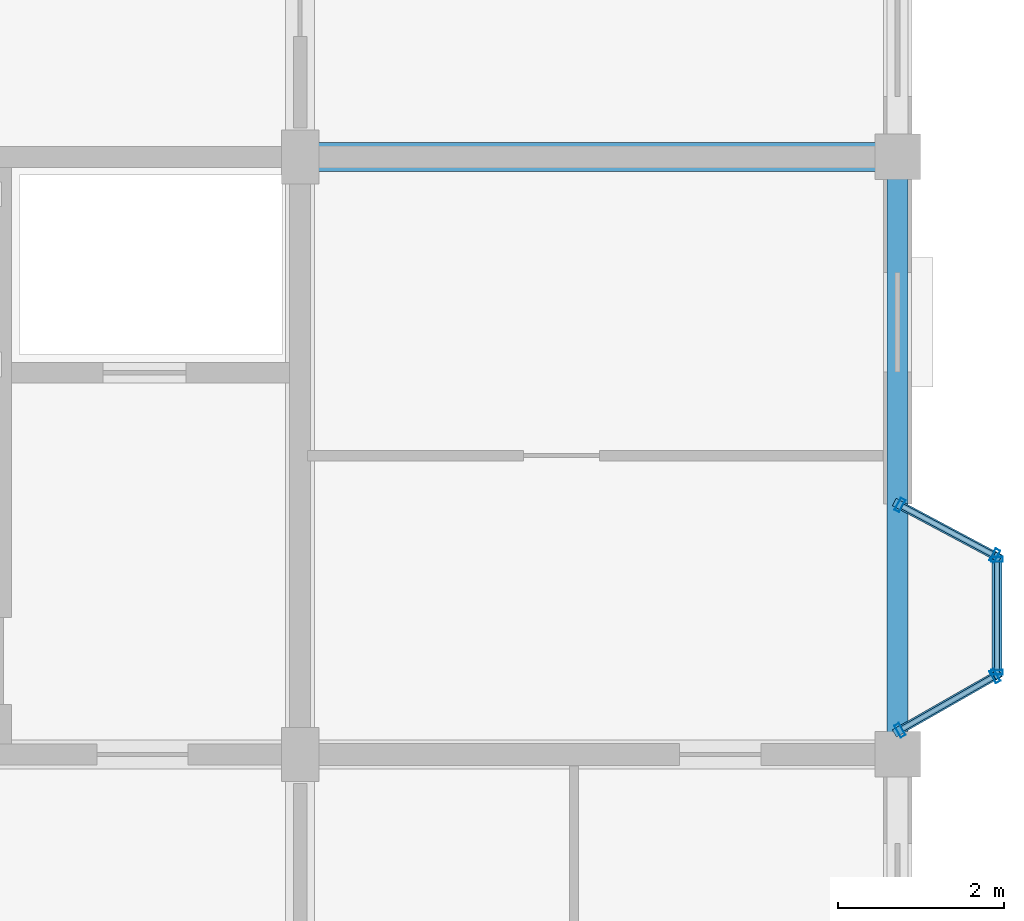
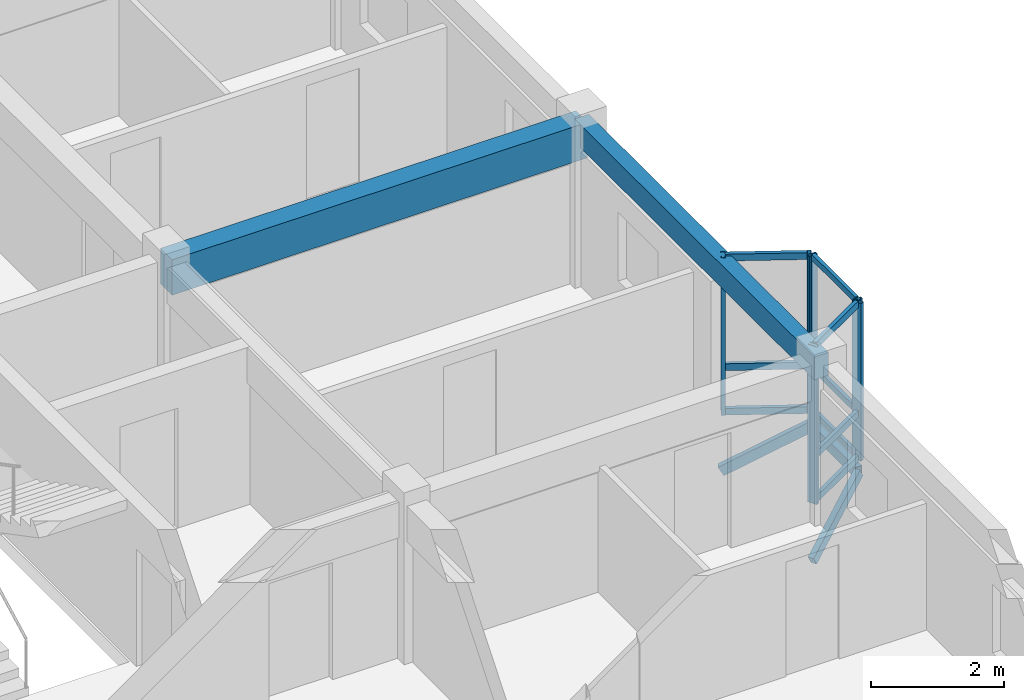
# One storey, part 30 of 77: 18 members, 2 beams, 3 elements without a shape of their own.
"""IFC4 building model written with IfcOpenShell, lengths in metres."""

from ifc_helpers import new_model, si_unit, direction, frame, origin, origin_2d, place, context, subcontext, project, spatial, rectangle, hollow_rectangle, extrude, material, layer, layer_set, material_profile, profile_set, type_object, element, aggregate, save


model = new_model("IFC4")

# Units and contexts
model_context = context("Model", 3, precision=1e-05, world=origin(), true_north=direction((0.0, 1.0)))
body_context = subcontext(model_context, "Body", "Model", "MODEL_VIEW")
ifc_project = project(units=[si_unit("LENGTHUNIT", "METRE"), si_unit("AREAUNIT", "SQUARE_METRE"), si_unit("VOLUMEUNIT", "CUBIC_METRE"), si_unit("PLANEANGLEUNIT", "RADIAN"), si_unit("MASSUNIT", "GRAM", prefix="KILO"), si_unit("THERMODYNAMICTEMPERATUREUNIT", "KELVIN"), si_unit("POWERUNIT", "WATT")], contexts=[model_context])

# Site, building, storey
site_placement = place(None, origin())
site = spatial("IfcSite", under=ifc_project, at=site_placement, CompositionType="ELEMENT")
building_placement = place(site_placement, origin())
building = spatial("IfcBuilding", under=site, at=building_placement, Name="Tavuni Mirador Residences", CompositionType="ELEMENT")
storey_placement = place(building_placement, frame((0.0, 0.0, 10.800048828125)))
storey = spatial("IfcBuildingStorey", under=building, at=storey_placement, Name="L03", CompositionType="ELEMENT", Elevation=10.800048828125)

# Beams
ifc_material_1 = material(Name="Precast concrete C40/50", Category="concrete")
ifc_material_profile_1 = material_profile(ifc_material_1, rectangle(XDim=0.35009765625, YDim=0.64990234375, at=origin_2d()), Name="PC 350x650", Category="concrete")
ifc_profile_set_1 = profile_set([ifc_material_profile_1], Name="Precast concrete C40/50")
beam_type_1 = type_object("IfcBeamType", Name="BT-B650", PredefinedType="BEAM", material=ifc_profile_set_1)
beam_1_placement = place(storey_placement, frame((111.60009765625, 115.199951171875, 2.56494140625), z_axis=(1.0, 0.0, 0.0), x_axis=(0.0, 1.0, 0.0)))
element("IfcBeam", 1, at=beam_1_placement, inside=storey, type_object=beam_type_1, Name="BMX-BLK-D-L03-03-04", PredefinedType="BEAM", context=body_context, shape_type="SweptSolid", body=[
    extrude(rectangle(XDim=0.35009765625, YDim=0.64990234375, at=origin_2d()), origin(), (0.0, 0.0, 1.0), 7.199951171875),
])
ifc_material_profile_2 = material_profile(ifc_material_1, rectangle(XDim=0.25, YDim=0.419921875, at=origin_2d()), Name="PC 250x420", Category="concrete")
ifc_profile_set_2 = profile_set([ifc_material_profile_2], Name="Precast concrete C40/50")
beam_type_2 = type_object("IfcBeamType", Name="BT-SP420", PredefinedType="SPANDREL", material=ifc_profile_set_2)
beam_2_placement = place(storey_placement, frame((118.800048828125, 108.0, 2.679931640625), z_axis=(0.0, 1.0, 0.0), x_axis=(-1.0, 0.0, 0.0)))
element("IfcBeam", 2, at=beam_2_placement, inside=storey, type_object=beam_type_2, Name="BMY-BLK-D-L03-04-03", PredefinedType="SPANDREL", context=body_context, shape_type="SweptSolid", body=[
    extrude(rectangle(XDim=0.25, YDim=0.419921875, at=origin_2d()), origin(), (0.0, 0.0, 1.0), 7.199951171875),
])

# Curtain wall, members
ifc_material_2 = material(Name="Anodised aluminium", Category="aluminium")
ifc_layer_1 = layer(ifc_material_2, 0.175048828125, Name="Anodised aluminium", Category="aluminium")
ifc_layer_set_1 = layer_set([ifc_layer_1], Name="Anodised aluminium")
curtain_wall_type_1 = type_object("IfcCurtainWallType", Name="CWT-MIR-C", PredefinedType="NOTDEFINED", material=ifc_layer_set_1)
curtain_wall_1_placement = place(storey_placement, origin())
curtain_wall_1 = element("IfcCurtainWall", 3, at=curtain_wall_1_placement, inside=storey, type_object=curtain_wall_type_1, Name="CW-MIR-D-E2-L03-MF", PredefinedType="NOTDEFINED")
ifc_material_profile_3 = material_profile(ifc_material_2, hollow_rectangle(XDim=0.06005859375, YDim=0.139892578125, WallThickness=0.00390625, at=origin_2d()), Name="ALU 60x140x4.0", Category="aluminium")
ifc_profile_set_3 = profile_set([ifc_material_profile_3], Name="Anodised aluminium")
member_type_1 = type_object("IfcMemberType", Name="CWM-140", PredefinedType="MULLION", material=ifc_profile_set_3)
member_1_placement = place(storey_placement, frame((120.0, 108.989990234375, 0.0), z_axis=(0.0, 0.0, 1.0), x_axis=(0.0, 1.0, 0.0)))
member_1 = element("IfcMember", 4, at=member_1_placement, type_object=member_type_1, Name="CW-03 mullion 1", PredefinedType="MULLION", context=body_context, shape_type="SweptSolid", body=[
    extrude(hollow_rectangle(XDim=0.06005859375, YDim=0.139892578125, WallThickness=0.00390625, at=origin_2d()), origin(), (0.0, 0.0, 1.0), 2.889892578125),
])
member_2_placement = place(storey_placement, frame((120.0, 110.35009765625, 0.0), z_axis=(0.0, 0.0, 1.0), x_axis=(0.0, 1.0, 0.0)))
member_2 = element("IfcMember", 5, at=member_2_placement, type_object=member_type_1, Name="CW-03 mullion 2", PredefinedType="MULLION", context=body_context, shape_type="SweptSolid", body=[
    extrude(hollow_rectangle(XDim=0.06005859375, YDim=0.139892578125, WallThickness=0.00390625, at=origin_2d()), origin(), (0.0, 0.0, 1.0), 2.889892578125),
])

ifc_layer_2 = layer(ifc_material_2, 0.14990234375, Name="Anodised aluminium", Category="aluminium")
ifc_layer_set_2 = layer_set([ifc_layer_2], Name="Anodised aluminium")
curtain_wall_type_2 = type_object("IfcCurtainWallType", Name="CWT-MIR-B", PredefinedType="NOTDEFINED", material=ifc_layer_set_2)
curtain_wall_2_placement = place(storey_placement, origin())
curtain_wall_2 = element("IfcCurtainWall", 6, at=curtain_wall_2_placement, inside=storey, type_object=curtain_wall_type_2, Name="CW-MIR-D-E2-L03-M1", PredefinedType="NOTDEFINED")
ifc_material_profile_4 = material_profile(ifc_material_2, hollow_rectangle(XDim=0.06494140625, YDim=0.1650390625, WallThickness=0.00439453125, at=origin_2d()), Name="ALU 65x165x4.5", Category="aluminium")
ifc_profile_set_4 = profile_set([ifc_material_profile_4], Name="Anodised aluminium")
member_type_2 = type_object("IfcMemberType", Name="CWM-165", PredefinedType="MULLION", material=ifc_profile_set_4)
member_3_placement = place(storey_placement, frame((118.828125, 108.291015625, 0.0), z_axis=(0.0, 0.0, 1.0), x_axis=(0.868465738194, 0.495749192217, 0.0)))
member_3 = element("IfcMember", 7, at=member_3_placement, type_object=member_type_2, Name="CW-02 mullion 1", PredefinedType="MULLION", context=body_context, shape_type="SweptSolid", body=[
    extrude(hollow_rectangle(XDim=0.06494140625, YDim=0.1650390625, WallThickness=0.00439453125, at=origin_2d()), origin(), (0.0, 0.0, 1.0), 2.889892578125),
])
member_4_placement = place(storey_placement, frame((119.9716796875, 108.94384765625, 0.0), z_axis=(0.0, 0.0, 1.0), x_axis=(0.868465738194, 0.495749192217, 0.0)))
member_4 = element("IfcMember", 8, at=member_4_placement, type_object=member_type_2, Name="CW-02 mullion 2", PredefinedType="MULLION", context=body_context, shape_type="SweptSolid", body=[
    extrude(hollow_rectangle(XDim=0.06494140625, YDim=0.1650390625, WallThickness=0.00439453125, at=origin_2d()), origin(), (0.0, 0.0, 1.0), 2.889892578125),
])

ifc_layer_3 = layer(ifc_material_2, 0.159912109375, Name="Anodised aluminium", Category="aluminium")
ifc_layer_set_3 = layer_set([ifc_layer_3], Name="Anodised aluminium")
curtain_wall_type_3 = type_object("IfcCurtainWallType", Name="CWT-MIR-D", PredefinedType="NOTDEFINED", material=ifc_layer_set_3)
curtain_wall_3_placement = place(storey_placement, origin())
curtain_wall_3 = element("IfcCurtainWall", 9, at=curtain_wall_3_placement, inside=storey, type_object=curtain_wall_type_3, Name="CW-MIR-D-E2-L03-M2", PredefinedType="NOTDEFINED")
member_5_placement = place(storey_placement, frame((119.971435546875, 110.395263671875, 0.0), z_axis=(0.0, 0.0, 1.0), x_axis=(-0.882352941175, 0.470588235296, 0.0)))
member_5 = element("IfcMember", 10, at=member_5_placement, type_object=member_type_2, Name="CW-04 mullion 1", PredefinedType="MULLION", context=body_context, shape_type="SweptSolid", body=[
    extrude(hollow_rectangle(XDim=0.06494140625, YDim=0.1650390625, WallThickness=0.00439453125, at=origin_2d()), origin(), (0.0, 0.0, 1.0), 2.889892578125),
])
member_6_placement = place(storey_placement, frame((118.82861328125, 111.004638671875, 0.0), z_axis=(0.0, 0.0, 1.0), x_axis=(-0.882352941175, 0.470588235296, 0.0)))
member_6 = element("IfcMember", 11, at=member_6_placement, type_object=member_type_2, Name="CW-04 mullion 2", PredefinedType="MULLION", context=body_context, shape_type="SweptSolid", body=[
    extrude(hollow_rectangle(XDim=0.06494140625, YDim=0.1650390625, WallThickness=0.00439453125, at=origin_2d()), origin(), (0.0, 0.0, 1.0), 2.889892578125),
])

# Member
ifc_material_profile_5 = material_profile(ifc_material_2, hollow_rectangle(XDim=0.06005859375, YDim=0.110107421875, WallThickness=0.00390625, at=origin_2d()), Name="ALU 60x110x4.0", Category="aluminium")
ifc_profile_set_5 = profile_set([ifc_material_profile_5], Name="Anodised aluminium")
member_type_3 = type_object("IfcMemberType", Name="CWT-110", PredefinedType="USERDEFINED", material=ifc_profile_set_5)
member_7_placement = place(storey_placement, frame((120.0, 109.02001953125, 0.030029296875), z_axis=(0.0, 1.0, 0.0), x_axis=(-1.0, 0.0, 0.0)))
member_7 = element("IfcMember", 12, at=member_7_placement, type_object=member_type_3, Name="CW-03 transom 1.1", ObjectType="TRANSOM", PredefinedType="USERDEFINED", context=body_context, shape_type="SweptSolid", body=[
    extrude(hollow_rectangle(XDim=0.06005859375, YDim=0.110107421875, WallThickness=0.00390625, at=origin_2d()), origin(), (0.0, 0.0, 1.0), 1.300048828125),
])

member_8_placement = place(storey_placement, frame((120.0, 109.02001953125, 0.849853515625), z_axis=(0.0, 1.0, 0.0), x_axis=(-1.0, 0.0, 0.0)))
member_8 = element("IfcMember", 13, at=member_8_placement, type_object=member_type_3, Name="CW-03 transom 1.2", ObjectType="TRANSOM", PredefinedType="USERDEFINED", context=body_context, shape_type="SweptSolid", body=[
    extrude(hollow_rectangle(XDim=0.06005859375, YDim=0.110107421875, WallThickness=0.00390625, at=origin_2d()), origin(), (0.0, 0.0, 1.0), 1.300048828125),
])

member_9_placement = place(storey_placement, frame((120.0, 109.02001953125, 2.85986328125), z_axis=(0.0, 1.0, 0.0), x_axis=(-1.0, 0.0, 0.0)))
member_9 = element("IfcMember", 14, at=member_9_placement, type_object=member_type_3, Name="CW-03 transom 1.3", ObjectType="TRANSOM", PredefinedType="USERDEFINED", context=body_context, shape_type="SweptSolid", body=[
    extrude(hollow_rectangle(XDim=0.06005859375, YDim=0.110107421875, WallThickness=0.00390625, at=origin_2d()), origin(), (0.0, 0.0, 1.0), 1.300048828125),
])

aggregate(curtain_wall_1, [member_1, member_2, member_7, member_8, member_9])

ifc_material_profile_6 = material_profile(ifc_material_2, hollow_rectangle(XDim=0.06494140625, YDim=0.125, WallThickness=0.00439453125, at=origin_2d()), Name="ALU 65x125x4.5", Category="aluminium")
ifc_profile_set_6 = profile_set([ifc_material_profile_6], Name="Anodised aluminium")
member_type_4 = type_object("IfcMemberType", Name="CWT-125", PredefinedType="USERDEFINED", material=ifc_profile_set_6)
member_10_placement = place(storey_placement, frame((118.8564453125, 108.30712890625, 0.032470703125), z_axis=(0.868459090685, 0.495760837306, 0.0), x_axis=(-0.495760837306, 0.868459090685, 0.0)))
member_10 = element("IfcMember", 15, at=member_10_placement, type_object=member_type_4, Name="CW-02 transom 1.1", ObjectType="TRANSOM", PredefinedType="USERDEFINED", context=body_context, shape_type="SweptSolid", body=[
    extrude(hollow_rectangle(XDim=0.06494140625, YDim=0.125, WallThickness=0.00439453125, at=origin_2d()), origin(), (0.0, 0.0, 1.0), 1.251708984375),
])

member_11_placement = place(storey_placement, frame((118.8564453125, 108.30712890625, 0.849853515625), z_axis=(0.868459090685, 0.495760837306, 0.0), x_axis=(-0.495760837306, 0.868459090685, 0.0)))
member_11 = element("IfcMember", 16, at=member_11_placement, type_object=member_type_4, Name="CW-02 transom 1.2", ObjectType="TRANSOM", PredefinedType="USERDEFINED", context=body_context, shape_type="SweptSolid", body=[
    extrude(hollow_rectangle(XDim=0.06494140625, YDim=0.125, WallThickness=0.00439453125, at=origin_2d()), origin(), (0.0, 0.0, 1.0), 1.251708984375),
])

member_12_placement = place(storey_placement, frame((118.8564453125, 108.30712890625, 2.857421875), z_axis=(0.868459090685, 0.495760837306, 0.0), x_axis=(-0.495760837306, 0.868459090685, 0.0)))
member_12 = element("IfcMember", 17, at=member_12_placement, type_object=member_type_4, Name="CW-02 transom 1.3", ObjectType="TRANSOM", PredefinedType="USERDEFINED", context=body_context, shape_type="SweptSolid", body=[
    extrude(hollow_rectangle(XDim=0.06494140625, YDim=0.125, WallThickness=0.00439453125, at=origin_2d()), origin(), (0.0, 0.0, 1.0), 1.251708984375),
])

aggregate(curtain_wall_2, [member_3, member_4, member_10, member_11, member_12])

member_13_placement = place(storey_placement, frame((119.942626953125, 110.41064453125, 0.032470703125), z_axis=(-0.882325465843, 0.470639747922, 0.0), x_axis=(-0.470639747922, -0.882325465843, 0.0)))
member_13 = element("IfcMember", 18, at=member_13_placement, type_object=member_type_4, Name="CW-04 transom 1.1", ObjectType="TRANSOM", PredefinedType="USERDEFINED", context=body_context, shape_type="SweptSolid", body=[
    extrude(hollow_rectangle(XDim=0.06494140625, YDim=0.125, WallThickness=0.00439453125, at=origin_2d()), origin(), (0.0, 0.0, 1.0), 1.22998046875),
])

member_14_placement = place(storey_placement, frame((119.942626953125, 110.41064453125, 0.849853515625), z_axis=(-0.882325465843, 0.470639747922, 0.0), x_axis=(-0.470639747922, -0.882325465843, 0.0)))
member_14 = element("IfcMember", 19, at=member_14_placement, type_object=member_type_4, Name="CW-04 transom 1.2", ObjectType="TRANSOM", PredefinedType="USERDEFINED", context=body_context, shape_type="SweptSolid", body=[
    extrude(hollow_rectangle(XDim=0.06494140625, YDim=0.125, WallThickness=0.00439453125, at=origin_2d()), origin(), (0.0, 0.0, 1.0), 1.22998046875),
])

member_15_placement = place(storey_placement, frame((119.942626953125, 110.41064453125, 2.857421875), z_axis=(-0.882325465843, 0.470639747922, 0.0), x_axis=(-0.470639747922, -0.882325465843, 0.0)))
member_15 = element("IfcMember", 20, at=member_15_placement, type_object=member_type_4, Name="CW-04 transom 1.3", ObjectType="TRANSOM", PredefinedType="USERDEFINED", context=body_context, shape_type="SweptSolid", body=[
    extrude(hollow_rectangle(XDim=0.06494140625, YDim=0.125, WallThickness=0.00439453125, at=origin_2d()), origin(), (0.0, 0.0, 1.0), 1.22998046875),
])

aggregate(curtain_wall_3, [member_5, member_6, member_13, member_14, member_15])

# Members
ifc_material_3 = material(Name="Structural steel S355", Category="steel")
ifc_material_profile_7 = material_profile(ifc_material_3, hollow_rectangle(XDim=0.10009765625, YDim=0.179931640625, WallThickness=0.008056640625, at=origin_2d()), Name="RHS 180x100x8.0", Category="steel")
ifc_profile_set_7 = profile_set([ifc_material_profile_7], Name="Structural steel S355")
member_type_5 = type_object("IfcMemberType", Name="MT-BR-RHS180", PredefinedType="BRACE", material=ifc_profile_set_7)
member_16_placement = place(storey_placement, frame((118.800048828125, 108.27490234375, -1.050048828125), z_axis=(0.753903905175, 0.430407804256, 0.496364809185), x_axis=(-0.495796390047, 0.868438794398, 0.0)))
element("IfcMember", 21, at=member_16_placement, inside=storey, type_object=member_type_5, Name="MBRK-MIR-D-E2-L03-1", PredefinedType="BRACE", context=body_context, shape_type="SweptSolid", body=[
    extrude(hollow_rectangle(XDim=0.10009765625, YDim=0.179931640625, WallThickness=0.008056640625, at=origin_2d()), origin(), (0.0, 0.0, 1.0), 1.591552734375),
])
member_17_placement = place(storey_placement, frame((118.800048828125, 111.02001953125, -1.050048828125), z_axis=(0.762920992699, -0.406994678099, 0.502301593565), x_axis=(0.470681405175, 0.882303244255, 0.0)))
element("IfcMember", 22, at=member_17_placement, inside=storey, type_object=member_type_5, Name="MBRK-MIR-D-E2-L03-2", PredefinedType="BRACE", context=body_context, shape_type="SweptSolid", body=[
    extrude(hollow_rectangle(XDim=0.10009765625, YDim=0.179931640625, WallThickness=0.008056640625, at=origin_2d()), origin(), (0.0, 0.0, 1.0), 1.57275390625),
])
ifc_material_profile_8 = material_profile(ifc_material_3, hollow_rectangle(XDim=0.1201171875, YDim=0.199951171875, WallThickness=0.010009765625, at=origin_2d()), Name="RHS 200x120x10.0", Category="steel")
ifc_profile_set_8 = profile_set([ifc_material_profile_8], Name="Structural steel S355")
member_type_6 = type_object("IfcMemberType", Name="MT-ST-RHS200", PredefinedType="STRUT", material=ifc_profile_set_8)
member_18_placement = place(storey_placement, frame((120.0, 108.9599609375, -0.260009765625), z_axis=(0.0, 1.0, 0.0), x_axis=(-1.0, 0.0, 0.0)))
element("IfcMember", 23, at=member_18_placement, inside=storey, type_object=member_type_6, Name="MRIM-MIR-D-E2-L03", PredefinedType="STRUT", context=body_context, shape_type="SweptSolid", body=[
    extrude(hollow_rectangle(XDim=0.1201171875, YDim=0.199951171875, WallThickness=0.010009765625, at=origin_2d()), origin(), (0.0, 0.0, 1.0), 1.419921875),
])

save(model, "model.ifc")
